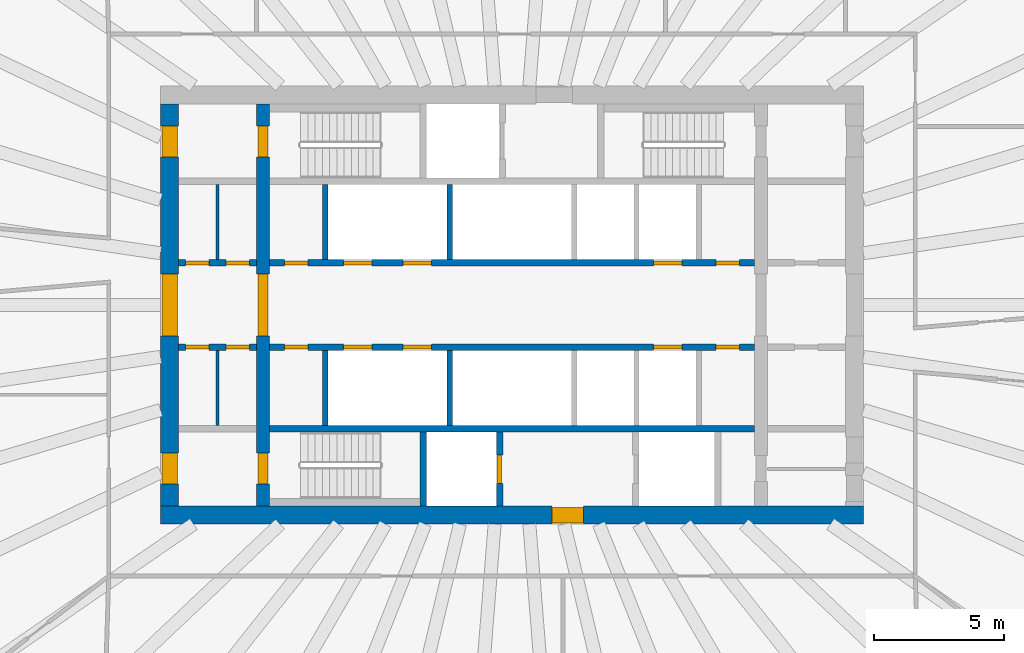
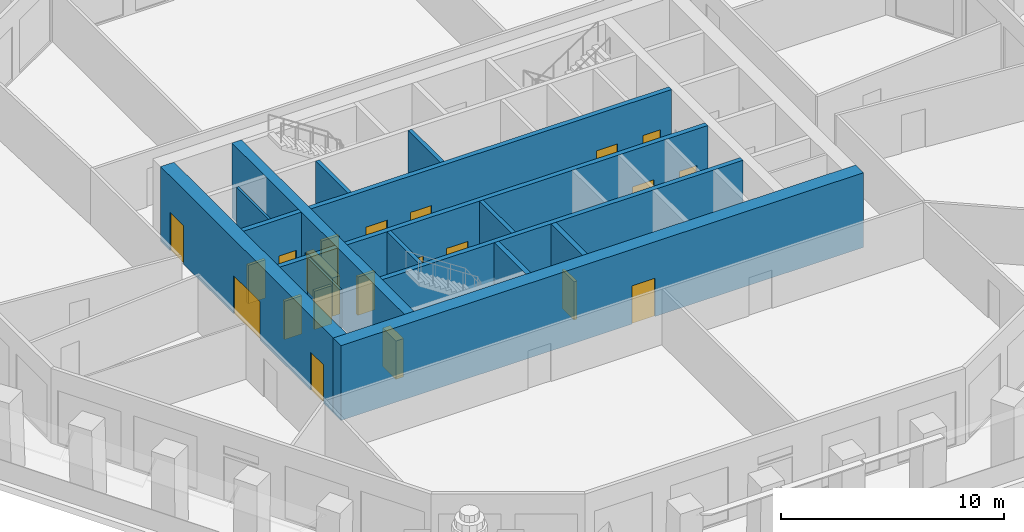
# One storey, part 4 of 12: 22 doors, 16 walls, 22 openings.
"""IFC4 building model written with IfcOpenShell, lengths in metres."""

from ifc_helpers import new_model, si_unit, direction, frame, frame_2d, origin, place, context, subcontext, project, spatial, rectangle, extrude, material, layer, layer_set, type_object, element, fill, save


model = new_model("IFC4")

# Units and contexts
model_context = context("Model", 3, precision=1e-05, world=origin(), true_north=direction((0.0, 1.0)))
body_context = subcontext(model_context, "Body", "Model", "MODEL_VIEW")
ifc_project = project(units=[si_unit("LENGTHUNIT", "METRE"), si_unit("AREAUNIT", "SQUARE_METRE"), si_unit("VOLUMEUNIT", "CUBIC_METRE"), si_unit("PLANEANGLEUNIT", "RADIAN"), si_unit("MASSUNIT", "GRAM", prefix="KILO")], contexts=[model_context])

# Site, building, storey
site_placement = place(None, origin())
site = spatial("IfcSite", under=ifc_project, at=site_placement, CompositionType="ELEMENT")
building_placement = place(site_placement, origin())
building = spatial("IfcBuilding", under=site, at=building_placement, Name="Frailejon Research Tower", CompositionType="ELEMENT")
storey_placement = place(building_placement, frame((0.0, 0.0, 145.199951171875)))
storey = spatial("IfcBuildingStorey", under=building, at=storey_placement, Name="L31", CompositionType="ELEMENT", Elevation=145.199951171875)

# Walls
ifc_material_1 = material(Name="Plasterboard on steel studs", Category="steel")
ifc_layer_1 = layer(ifc_material_1, 0.125)
ifc_layer_set_1 = layer_set([ifc_layer_1], Name="Core partition 125")
wall_type_1 = type_object("IfcWallType", Name="Core partition 125", PredefinedType="PARTITIONING", material=ifc_layer_set_1)
for number, where, z_axis, x_axis, name in (
    (1, (-11.35009765625, 1.75, 0.0), (0.0, 0.0, 1.0), (0.0, 1.0, 0.0), "Core partition"),
    (2, (-11.35009765625, -4.64990234375, 0.0), (0.0, 0.0, 1.0), (0.0, 1.0, 0.0), "Core partition"),
):
    element("IfcWall", number, at=place(storey_placement, frame(where, z_axis=z_axis, x_axis=x_axis)), inside=storey, type_object=wall_type_1, Name=name, PredefinedType="PARTITIONING", context=body_context, shape_type="SweptSolid", body=[
        extrude(rectangle(XDim=2.89990234375, YDim=0.125, at=frame_2d((1.449951171875, 0.0))), origin(), (0.0, 0.0, 1.0), 4.10009765625),
    ])

# Wall, openings, doors
ifc_material_2 = material(Name="Concrete C60/75", Category="concrete")
ifc_layer_2 = layer(ifc_material_2, 0.5)
ifc_layer_set_2 = layer_set([ifc_layer_2], Name="Core shear wall 500 C60/75")
wall_type_2 = type_object("IfcWallType", Name="Core shear wall 500 C60/75", PredefinedType="SHEAR", material=ifc_layer_set_2)
wall_1_placement = place(storey_placement, frame((-9.60009765625, -7.75, 0.0), z_axis=(0.0, 0.0, 1.0), x_axis=(0.0, 1.0, 0.0)))
wall_1 = element("IfcWall", 3, at=wall_1_placement, inside=storey, type_object=wall_type_2, Name="Core shear wall", PredefinedType="SHEAR", context=body_context, shape_type="SweptSolid", body=[
    extrude(rectangle(XDim=15.5, YDim=0.5, at=frame_2d((7.75, 0.0))), origin(), (0.0, 0.0, 1.0), 4.10009765625),
])
opening_1_placement = place(wall_1_placement, frame((6.550048828125, 0.0, 0.0)))
opening_1 = element("IfcOpeningElement", 4, at=opening_1_placement, cuts=wall_1, Name="Opening D2", PredefinedType="OPENING", context=body_context, shape_type="SweptSolid", body=[
    extrude(rectangle(XDim=2.39990234375, YDim=2.10009765625, at=frame_2d((1.199951171875, 1.050048828125))), frame((0.0, 0.260009765625, 0.0), z_axis=(0.0, -1.0, 0.0), x_axis=(1.0, 0.0, 0.0)), (0.0, 0.0, 1.0), 0.52001953125),
])
opening_2_placement = place(wall_1_placement, frame((13.449951171875, 0.0, 0.0)))
opening_2 = element("IfcOpeningElement", 5, at=opening_2_placement, cuts=wall_1, Name="Opening D1", PredefinedType="OPENING", context=body_context, shape_type="SweptSolid", body=[
    extrude(rectangle(XDim=1.199951171875, YDim=2.10009765625, at=frame_2d((0.60009765625, 1.050048828125))), frame((0.0, 0.260009765625, 0.0), z_axis=(0.0, -1.0, 0.0), x_axis=(1.0, 0.0, 0.0)), (0.0, 0.0, 1.0), 0.52001953125),
])
opening_3_placement = place(wall_1_placement, frame((0.85009765625, 0.0, 0.0)))
opening_3 = element("IfcOpeningElement", 6, at=opening_3_placement, cuts=wall_1, Name="Opening D1", PredefinedType="OPENING", context=body_context, shape_type="SweptSolid", body=[
    extrude(rectangle(XDim=1.199951171875, YDim=2.10009765625, at=frame_2d((0.60009765625, 1.050048828125))), frame((0.0, 0.260009765625, 0.0), z_axis=(0.0, -1.0, 0.0), x_axis=(1.0, 0.0, 0.0)), (0.0, 0.0, 1.0), 0.52001953125),
])
ifc_material_3 = material(Name="Steel", Category="steel")
door_type_1 = type_object("IfcDoorType", Name="Lobby double door", OperationType="DOUBLE_DOOR_SINGLE_SWING", PredefinedType="DOOR", material=ifc_material_3)
door_1_placement = place(opening_1_placement, origin())
door_1 = element("IfcDoor", 7, at=door_1_placement, inside=storey, type_object=door_type_1, Name="Lobby door", OperationType="DOUBLE_DOOR_SINGLE_SWING", OverallHeight=2.10009765625, OverallWidth=2.39990234375, PredefinedType="DOOR", context=body_context, shape_type="SweptSolid", body=[
    extrude(rectangle(XDim=2.39990234375, YDim=2.10009765625, at=frame_2d((1.199951171875, 1.050048828125))), frame((0.0, 0.199951171875, 0.0), z_axis=(0.0, -1.0, 0.0), x_axis=(1.0, 0.0, 0.0)), (0.0, 0.0, 1.0), 0.39990234375),
])
fill(opening_1, door_1)
ifc_material_4 = material(Name="Steel", Category="steel")
door_type_2 = type_object("IfcDoorType", Name="Stair door", OperationType="SINGLE_SWING_LEFT", PredefinedType="DOOR", material=ifc_material_4)
door_2_placement = place(opening_2_placement, origin())
door_2 = element("IfcDoor", 8, at=door_2_placement, inside=storey, type_object=door_type_2, Name="Stair door ST1", OperationType="SINGLE_SWING_RIGHT", OverallHeight=2.10009765625, OverallWidth=1.199951171875, PredefinedType="DOOR", context=body_context, shape_type="SweptSolid", body=[
    extrude(rectangle(XDim=1.199951171875, YDim=2.10009765625, at=frame_2d((0.60009765625, 1.050048828125))), frame((0.0, 0.199951171875, 0.0), z_axis=(0.0, -1.0, 0.0), x_axis=(1.0, 0.0, 0.0)), (0.0, 0.0, 1.0), 0.39990234375),
])
fill(opening_2, door_2)
door_3_placement = place(opening_3_placement, origin())
door_3 = element("IfcDoor", 9, at=door_3_placement, inside=storey, type_object=door_type_2, Name="Stair door ST2", OperationType="SINGLE_SWING_RIGHT", OverallHeight=2.10009765625, OverallWidth=1.199951171875, PredefinedType="DOOR", context=body_context, shape_type="SweptSolid", body=[
    extrude(rectangle(XDim=1.199951171875, YDim=2.10009765625, at=frame_2d((0.60009765625, 1.050048828125))), frame((0.0, 0.199951171875, 0.0), z_axis=(0.0, -1.0, 0.0), x_axis=(1.0, 0.0, 0.0)), (0.0, 0.0, 1.0), 0.39990234375),
])
fill(opening_3, door_3)

# Wall, opening, door
ifc_material_5 = material(Name="Concrete C60/75", Category="concrete")
ifc_layer_3 = layer(ifc_material_5, 0.699951171875)
ifc_layer_set_3 = layer_set([ifc_layer_3], Name="Core shear wall 700 C60/75")
wall_type_3 = type_object("IfcWallType", Name="Core shear wall 700 C60/75", PredefinedType="SHEAR", material=ifc_layer_set_3)
wall_2_placement = place(storey_placement, frame((-13.550048828125, -8.10009765625, 0.0), z_axis=(0.0, 0.0, 1.0), x_axis=(1.0, 0.0, 0.0)))
wall_2 = element("IfcWall", 10, at=wall_2_placement, inside=storey, type_object=wall_type_3, Name="Core shear wall", PredefinedType="SHEAR", context=body_context, shape_type="SweptSolid", body=[
    extrude(rectangle(XDim=27.10009765625, YDim=0.699951171875, at=frame_2d((13.550048828125, 0.0))), origin(), (0.0, 0.0, 1.0), 4.10009765625),
])
opening_4_placement = place(wall_2_placement, frame((15.10009765625, 0.0, 0.0)))
opening_4 = element("IfcOpeningElement", 11, at=opening_4_placement, cuts=wall_2, Name="Opening D3", PredefinedType="OPENING", context=body_context, shape_type="SweptSolid", body=[
    extrude(rectangle(XDim=1.199951171875, YDim=2.10009765625, at=frame_2d((0.60009765625, 1.050048828125))), frame((0.0, 0.35986328125, 0.0), z_axis=(0.0, -1.0, 0.0), x_axis=(1.0, 0.0, 0.0)), (0.0, 0.0, 1.0), 0.719970703125),
])
ifc_material_6 = material(Name="Steel", Category="steel")
door_type_3 = type_object("IfcDoorType", Name="Firefighting lobby door", OperationType="SINGLE_SWING_LEFT", PredefinedType="DOOR", material=ifc_material_6)
door_4_placement = place(opening_4_placement, origin())
door_4 = element("IfcDoor", 12, at=door_4_placement, inside=storey, type_object=door_type_3, Name="Firefighting lobby door", OperationType="SINGLE_SWING_RIGHT", OverallHeight=2.10009765625, OverallWidth=1.199951171875, PredefinedType="DOOR", context=body_context, shape_type="SweptSolid", body=[
    extrude(rectangle(XDim=1.199951171875, YDim=2.10009765625, at=frame_2d((0.60009765625, 1.050048828125))), frame((0.0, 0.300048828125, 0.0), z_axis=(0.0, -1.0, 0.0), x_axis=(1.0, 0.0, 0.0)), (0.0, 0.0, 1.0), 0.60009765625),
])
fill(opening_4, door_4)

# Wall, openings, doors
wall_3_placement = place(storey_placement, frame((-13.199951171875, -7.75, 0.0), z_axis=(0.0, 0.0, 1.0), x_axis=(0.0, 1.0, 0.0)))
wall_3 = element("IfcWall", 13, at=wall_3_placement, inside=storey, type_object=wall_type_3, Name="Core shear wall", PredefinedType="SHEAR", context=body_context, shape_type="SweptSolid", body=[
    extrude(rectangle(XDim=15.5, YDim=0.699951171875, at=frame_2d((7.75, 0.0))), origin(), (0.0, 0.0, 1.0), 4.10009765625),
])
opening_5_placement = place(wall_3_placement, frame((6.550048828125, 0.0, 0.0)))
opening_5 = element("IfcOpeningElement", 14, at=opening_5_placement, cuts=wall_3, Name="Opening D2", PredefinedType="OPENING", context=body_context, shape_type="SweptSolid", body=[
    extrude(rectangle(XDim=2.39990234375, YDim=2.10009765625, at=frame_2d((1.199951171875, 1.050048828125))), frame((0.0, 0.35986328125, 0.0), z_axis=(0.0, -1.0, 0.0), x_axis=(1.0, 0.0, 0.0)), (0.0, 0.0, 1.0), 0.719970703125),
])
opening_6_placement = place(wall_3_placement, frame((13.449951171875, 0.0, 0.0)))
opening_6 = element("IfcOpeningElement", 15, at=opening_6_placement, cuts=wall_3, Name="Opening D7", PredefinedType="OPENING", context=body_context, shape_type="SweptSolid", body=[
    extrude(rectangle(XDim=1.199951171875, YDim=2.10009765625, at=frame_2d((0.60009765625, 1.050048828125))), frame((0.0, 0.35986328125, 0.0), z_axis=(0.0, -1.0, 0.0), x_axis=(1.0, 0.0, 0.0)), (0.0, 0.0, 1.0), 0.719970703125),
])
opening_7_placement = place(wall_3_placement, frame((0.85009765625, 0.0, 0.0)))
opening_7 = element("IfcOpeningElement", 16, at=opening_7_placement, cuts=wall_3, Name="Opening D7", PredefinedType="OPENING", context=body_context, shape_type="SweptSolid", body=[
    extrude(rectangle(XDim=1.199951171875, YDim=2.10009765625, at=frame_2d((0.60009765625, 1.050048828125))), frame((0.0, 0.35986328125, 0.0), z_axis=(0.0, -1.0, 0.0), x_axis=(1.0, 0.0, 0.0)), (0.0, 0.0, 1.0), 0.719970703125),
])
door_5_placement = place(opening_5_placement, origin())
door_5 = element("IfcDoor", 17, at=door_5_placement, inside=storey, type_object=door_type_1, Name="Lobby door", OperationType="DOUBLE_DOOR_SINGLE_SWING", OverallHeight=2.10009765625, OverallWidth=2.39990234375, PredefinedType="DOOR", context=body_context, shape_type="SweptSolid", body=[
    extrude(rectangle(XDim=2.39990234375, YDim=2.10009765625, at=frame_2d((1.199951171875, 1.050048828125))), frame((0.0, 0.300048828125, 0.0), z_axis=(0.0, -1.0, 0.0), x_axis=(1.0, 0.0, 0.0)), (0.0, 0.0, 1.0), 0.60009765625),
])
fill(opening_5, door_5)
ifc_material_7 = material(Name="Steel", Category="steel")
door_type_4 = type_object("IfcDoorType", Name="Stair exit door", OperationType="SINGLE_SWING_LEFT", PredefinedType="DOOR", material=ifc_material_7)
door_6_placement = place(opening_6_placement, origin())
door_6 = element("IfcDoor", 18, at=door_6_placement, inside=storey, type_object=door_type_4, Name="Stair exit door ST1", OperationType="SINGLE_SWING_LEFT", OverallHeight=2.10009765625, OverallWidth=1.199951171875, PredefinedType="DOOR", context=body_context, shape_type="SweptSolid", body=[
    extrude(rectangle(XDim=1.199951171875, YDim=2.10009765625, at=frame_2d((0.60009765625, 1.050048828125))), frame((0.0, 0.300048828125, 0.0), z_axis=(0.0, -1.0, 0.0), x_axis=(1.0, 0.0, 0.0)), (0.0, 0.0, 1.0), 0.60009765625),
])
fill(opening_6, door_6)
door_7_placement = place(opening_7_placement, origin())
door_7 = element("IfcDoor", 19, at=door_7_placement, inside=storey, type_object=door_type_4, Name="Stair exit door ST2", OperationType="SINGLE_SWING_LEFT", OverallHeight=2.10009765625, OverallWidth=1.199951171875, PredefinedType="DOOR", context=body_context, shape_type="SweptSolid", body=[
    extrude(rectangle(XDim=1.199951171875, YDim=2.10009765625, at=frame_2d((0.60009765625, 1.050048828125))), frame((0.0, 0.300048828125, 0.0), z_axis=(0.0, -1.0, 0.0), x_axis=(1.0, 0.0, 0.0)), (0.0, 0.0, 1.0), 0.60009765625),
])
fill(opening_7, door_7)

# Walls
ifc_material_8 = material(Name="Concrete C60/75", Category="concrete")
ifc_layer_4 = layer(ifc_material_8, 0.199951171875)
ifc_layer_set_4 = layer_set([ifc_layer_4], Name="Shaft wall 200 C60/75")
wall_type_4 = type_object("IfcWallType", Name="Shaft wall 200 C60/75", PredefinedType="SOLIDWALL", material=ifc_layer_set_4)
for number, where, z_axis, x_axis, name in (
    (20, (-7.199951171875, 1.75, 0.0), (0.0, 0.0, 1.0), (0.0, 1.0, 0.0), "Shaft wall"),
    (21, (-2.39990234375, 1.75, 0.0), (0.0, 0.0, 1.0), (0.0, 1.0, 0.0), "Shaft wall"),
    (22, (-7.199951171875, -4.64990234375, 0.0), (0.0, 0.0, 1.0), (0.0, 1.0, 0.0), "Shaft wall"),
    (23, (-2.39990234375, -4.64990234375, 0.0), (0.0, 0.0, 1.0), (0.0, 1.0, 0.0), "Shaft wall"),
):
    element("IfcWall", number, at=place(storey_placement, frame(where, z_axis=z_axis, x_axis=x_axis)), inside=storey, type_object=wall_type_4, Name=name, PredefinedType="SOLIDWALL", context=body_context, shape_type="SweptSolid", body=[
        extrude(rectangle(XDim=2.89990234375, YDim=0.199951171875, at=frame_2d((1.449951171875, 0.0))), origin(), (0.0, 0.0, 1.0), 4.10009765625),
    ])

# Wall, openings, doors
ifc_material_9 = material(Name="Concrete C60/75", Category="concrete")
ifc_layer_5 = layer(ifc_material_9, 0.25)
ifc_layer_set_5 = layer_set([ifc_layer_5], Name="Shaft wall 250 C60/75")
wall_type_5 = type_object("IfcWallType", Name="Shaft wall 250 C60/75", PredefinedType="SOLIDWALL", material=ifc_layer_set_5)
wall_4_placement = place(storey_placement, frame((-12.85009765625, 1.625, 0.0), z_axis=(0.0, 0.0, 1.0), x_axis=(1.0, 0.0, 0.0)))
wall_4 = element("IfcWall", 24, at=wall_4_placement, inside=storey, type_object=wall_type_5, Name="Shaft wall", PredefinedType="SOLIDWALL", context=body_context, shape_type="SweptSolid", body=[
    extrude(rectangle(XDim=3.0, YDim=0.25, at=frame_2d((1.5, 0.0))), origin(), (0.0, 0.0, 1.0), 4.10009765625),
])
opening_8_placement = place(wall_4_placement, frame((0.268798828125, 0.0, 0.0)))
opening_8 = element("IfcOpeningElement", 25, at=opening_8_placement, cuts=wall_4, Name="Opening D8", PredefinedType="OPENING", context=body_context, shape_type="SweptSolid", body=[
    extrude(rectangle(XDim=0.89990234375, YDim=2.10009765625, at=frame_2d((0.449951171875, 1.050048828125))), frame((0.0, 0.135009765625, 0.0), z_axis=(0.0, -1.0, 0.0), x_axis=(1.0, 0.0, 0.0)), (0.0, 0.0, 1.0), 0.27001953125),
])
opening_9_placement = place(wall_4_placement, frame((1.831298828125, 0.0, 0.0)))
opening_9 = element("IfcOpeningElement", 26, at=opening_9_placement, cuts=wall_4, Name="Opening D8", PredefinedType="OPENING", context=body_context, shape_type="SweptSolid", body=[
    extrude(rectangle(XDim=0.89990234375, YDim=2.10009765625, at=frame_2d((0.449951171875, 1.050048828125))), frame((0.0, 0.135009765625, 0.0), z_axis=(0.0, -1.0, 0.0), x_axis=(1.0, 0.0, 0.0)), (0.0, 0.0, 1.0), 0.27001953125),
])
ifc_material_10 = material(Name="Steel", Category="steel")
door_type_5 = type_object("IfcDoorType", Name="Core room door", OperationType="SINGLE_SWING_LEFT", PredefinedType="DOOR", material=ifc_material_10)
door_8_placement = place(opening_8_placement, origin())
door_8 = element("IfcDoor", 27, at=door_8_placement, inside=storey, type_object=door_type_5, Name="Room door", OperationType="SINGLE_SWING_LEFT", OverallHeight=2.10009765625, OverallWidth=0.89990234375, PredefinedType="DOOR", context=body_context, shape_type="SweptSolid", body=[
    extrude(rectangle(XDim=0.89990234375, YDim=2.10009765625, at=frame_2d((0.449951171875, 1.050048828125))), frame((0.0, 0.074951171875, 0.0), z_axis=(0.0, -1.0, 0.0), x_axis=(1.0, 0.0, 0.0)), (0.0, 0.0, 1.0), 0.14990234375),
])
fill(opening_8, door_8)
door_9_placement = place(opening_9_placement, origin())
door_9 = element("IfcDoor", 28, at=door_9_placement, inside=storey, type_object=door_type_5, Name="Room door", OperationType="SINGLE_SWING_RIGHT", OverallHeight=2.10009765625, OverallWidth=0.89990234375, PredefinedType="DOOR", context=body_context, shape_type="SweptSolid", body=[
    extrude(rectangle(XDim=0.89990234375, YDim=2.10009765625, at=frame_2d((0.449951171875, 1.050048828125))), frame((0.0, 0.074951171875, 0.0), z_axis=(0.0, -1.0, 0.0), x_axis=(1.0, 0.0, 0.0)), (0.0, 0.0, 1.0), 0.14990234375),
])
fill(opening_9, door_9)

wall_5_placement = place(storey_placement, frame((-9.35009765625, 1.625, 0.0), z_axis=(0.0, 0.0, 1.0), x_axis=(1.0, 0.0, 0.0)))
wall_5 = element("IfcWall", 29, at=wall_5_placement, inside=storey, type_object=wall_type_5, Name="Shaft wall", PredefinedType="SOLIDWALL", context=body_context, shape_type="SweptSolid", body=[
    extrude(rectangle(XDim=18.7001953125, YDim=0.25, at=frame_2d((9.35009765625, 0.0))), origin(), (0.0, 0.0, 1.0), 4.10009765625),
])
opening_10_placement = place(wall_5_placement, frame((2.85009765625, 0.0, 0.0)))
opening_10 = element("IfcOpeningElement", 30, at=opening_10_placement, cuts=wall_5, Name="Opening LD", PredefinedType="OPENING", context=body_context, shape_type="SweptSolid", body=[
    extrude(rectangle(XDim=1.10009765625, YDim=2.10009765625, at=frame_2d((0.550048828125, 1.050048828125))), frame((0.0, 0.135009765625, 0.0), z_axis=(0.0, -1.0, 0.0), x_axis=(1.0, 0.0, 0.0)), (0.0, 0.0, 1.0), 0.27001953125),
])
opening_11_placement = place(wall_5_placement, frame((5.14990234375, 0.0, 0.0)))
opening_11 = element("IfcOpeningElement", 31, at=opening_11_placement, cuts=wall_5, Name="Opening LD", PredefinedType="OPENING", context=body_context, shape_type="SweptSolid", body=[
    extrude(rectangle(XDim=1.10009765625, YDim=2.10009765625, at=frame_2d((0.550048828125, 1.050048828125))), frame((0.0, 0.135009765625, 0.0), z_axis=(0.0, -1.0, 0.0), x_axis=(1.0, 0.0, 0.0)), (0.0, 0.0, 1.0), 0.27001953125),
])
opening_12_placement = place(wall_5_placement, frame((14.800048828125, 0.0, 0.0)))
opening_12 = element("IfcOpeningElement", 32, at=opening_12_placement, cuts=wall_5, Name="Opening LD", PredefinedType="OPENING", context=body_context, shape_type="SweptSolid", body=[
    extrude(rectangle(XDim=1.10009765625, YDim=2.10009765625, at=frame_2d((0.550048828125, 1.050048828125))), frame((0.0, 0.135009765625, 0.0), z_axis=(0.0, -1.0, 0.0), x_axis=(1.0, 0.0, 0.0)), (0.0, 0.0, 1.0), 0.27001953125),
])
opening_13_placement = place(wall_5_placement, frame((0.574951171875, 0.0, 0.0)))
opening_13 = element("IfcOpeningElement", 33, at=opening_13_placement, cuts=wall_5, Name="Opening D8", PredefinedType="OPENING", context=body_context, shape_type="SweptSolid", body=[
    extrude(rectangle(XDim=0.89990234375, YDim=2.10009765625, at=frame_2d((0.449951171875, 1.050048828125))), frame((0.0, 0.135009765625, 0.0), z_axis=(0.0, -1.0, 0.0), x_axis=(1.0, 0.0, 0.0)), (0.0, 0.0, 1.0), 0.27001953125),
])
opening_14_placement = place(wall_5_placement, frame((17.22509765625, 0.0, 0.0)))
opening_14 = element("IfcOpeningElement", 34, at=opening_14_placement, cuts=wall_5, Name="Opening D8", PredefinedType="OPENING", context=body_context, shape_type="SweptSolid", body=[
    extrude(rectangle(XDim=0.89990234375, YDim=2.10009765625, at=frame_2d((0.449951171875, 1.050048828125))), frame((0.0, 0.135009765625, 0.0), z_axis=(0.0, -1.0, 0.0), x_axis=(1.0, 0.0, 0.0)), (0.0, 0.0, 1.0), 0.27001953125),
])
door_10_placement = place(opening_13_placement, origin())
door_10 = element("IfcDoor", 35, at=door_10_placement, inside=storey, type_object=door_type_5, Name="Room door", OperationType="SINGLE_SWING_LEFT", OverallHeight=2.10009765625, OverallWidth=0.89990234375, PredefinedType="DOOR", context=body_context, shape_type="SweptSolid", body=[
    extrude(rectangle(XDim=0.89990234375, YDim=2.10009765625, at=frame_2d((0.449951171875, 1.050048828125))), frame((0.0, 0.074951171875, 0.0), z_axis=(0.0, -1.0, 0.0), x_axis=(1.0, 0.0, 0.0)), (0.0, 0.0, 1.0), 0.14990234375),
])
fill(opening_13, door_10)
door_11_placement = place(opening_14_placement, origin())
door_11 = element("IfcDoor", 36, at=door_11_placement, inside=storey, type_object=door_type_5, Name="Room door", OperationType="SINGLE_SWING_RIGHT", OverallHeight=2.10009765625, OverallWidth=0.89990234375, PredefinedType="DOOR", context=body_context, shape_type="SweptSolid", body=[
    extrude(rectangle(XDim=0.89990234375, YDim=2.10009765625, at=frame_2d((0.449951171875, 1.050048828125))), frame((0.0, 0.074951171875, 0.0), z_axis=(0.0, -1.0, 0.0), x_axis=(1.0, 0.0, 0.0)), (0.0, 0.0, 1.0), 0.14990234375),
])
fill(opening_14, door_11)
ifc_material_11 = material(Name="Steel", Category="steel")
door_type_6 = type_object("IfcDoorType", Name="Lift landing door", OperationType="DOUBLE_DOOR_SLIDING", PredefinedType="DOOR", material=ifc_material_11)
door_12_placement = place(opening_10_placement, origin())
door_12 = element("IfcDoor", 37, at=door_12_placement, inside=storey, type_object=door_type_6, Name="Lift landing door", OperationType="DOUBLE_DOOR_SLIDING", OverallHeight=2.10009765625, OverallWidth=1.10009765625, PredefinedType="DOOR", context=body_context, shape_type="SweptSolid", body=[
    extrude(rectangle(XDim=1.10009765625, YDim=2.10009765625, at=frame_2d((0.550048828125, 1.050048828125))), frame((0.0, 0.074951171875, 0.0), z_axis=(0.0, -1.0, 0.0), x_axis=(1.0, 0.0, 0.0)), (0.0, 0.0, 1.0), 0.14990234375),
])
fill(opening_10, door_12)
door_13_placement = place(opening_11_placement, origin())
door_13 = element("IfcDoor", 38, at=door_13_placement, inside=storey, type_object=door_type_6, Name="Lift landing door", OperationType="DOUBLE_DOOR_SLIDING", OverallHeight=2.10009765625, OverallWidth=1.10009765625, PredefinedType="DOOR", context=body_context, shape_type="SweptSolid", body=[
    extrude(rectangle(XDim=1.10009765625, YDim=2.10009765625, at=frame_2d((0.550048828125, 1.050048828125))), frame((0.0, 0.074951171875, 0.0), z_axis=(0.0, -1.0, 0.0), x_axis=(1.0, 0.0, 0.0)), (0.0, 0.0, 1.0), 0.14990234375),
])
fill(opening_11, door_13)
door_14_placement = place(opening_12_placement, origin())
door_14 = element("IfcDoor", 39, at=door_14_placement, inside=storey, type_object=door_type_6, Name="Lift landing door", OperationType="DOUBLE_DOOR_SLIDING", OverallHeight=2.10009765625, OverallWidth=1.10009765625, PredefinedType="DOOR", context=body_context, shape_type="SweptSolid", body=[
    extrude(rectangle(XDim=1.10009765625, YDim=2.10009765625, at=frame_2d((0.550048828125, 1.050048828125))), frame((0.0, 0.074951171875, 0.0), z_axis=(0.0, -1.0, 0.0), x_axis=(1.0, 0.0, 0.0)), (0.0, 0.0, 1.0), 0.14990234375),
])
fill(opening_12, door_14)

wall_6_placement = place(storey_placement, frame((-12.85009765625, -1.625, 0.0), z_axis=(0.0, 0.0, 1.0), x_axis=(1.0, 0.0, 0.0)))
wall_6 = element("IfcWall", 40, at=wall_6_placement, inside=storey, type_object=wall_type_5, Name="Shaft wall", PredefinedType="SOLIDWALL", context=body_context, shape_type="SweptSolid", body=[
    extrude(rectangle(XDim=3.0, YDim=0.25, at=frame_2d((1.5, 0.0))), origin(), (0.0, 0.0, 1.0), 4.10009765625),
])
opening_15_placement = place(wall_6_placement, frame((0.268798828125, 0.0, 0.0)))
opening_15 = element("IfcOpeningElement", 41, at=opening_15_placement, cuts=wall_6, Name="Opening D8", PredefinedType="OPENING", context=body_context, shape_type="SweptSolid", body=[
    extrude(rectangle(XDim=0.89990234375, YDim=2.10009765625, at=frame_2d((0.449951171875, 1.050048828125))), frame((0.0, 0.135009765625, 0.0), z_axis=(0.0, -1.0, 0.0), x_axis=(1.0, 0.0, 0.0)), (0.0, 0.0, 1.0), 0.27001953125),
])
opening_16_placement = place(wall_6_placement, frame((1.831298828125, 0.0, 0.0)))
opening_16 = element("IfcOpeningElement", 42, at=opening_16_placement, cuts=wall_6, Name="Opening D8", PredefinedType="OPENING", context=body_context, shape_type="SweptSolid", body=[
    extrude(rectangle(XDim=0.89990234375, YDim=2.10009765625, at=frame_2d((0.449951171875, 1.050048828125))), frame((0.0, 0.135009765625, 0.0), z_axis=(0.0, -1.0, 0.0), x_axis=(1.0, 0.0, 0.0)), (0.0, 0.0, 1.0), 0.27001953125),
])
door_15_placement = place(opening_15_placement, origin())
door_15 = element("IfcDoor", 43, at=door_15_placement, inside=storey, type_object=door_type_5, Name="Room door", OperationType="SINGLE_SWING_RIGHT", OverallHeight=2.10009765625, OverallWidth=0.89990234375, PredefinedType="DOOR", context=body_context, shape_type="SweptSolid", body=[
    extrude(rectangle(XDim=0.89990234375, YDim=2.10009765625, at=frame_2d((0.449951171875, 1.050048828125))), frame((0.0, 0.074951171875, 0.0), z_axis=(0.0, -1.0, 0.0), x_axis=(1.0, 0.0, 0.0)), (0.0, 0.0, 1.0), 0.14990234375),
])
fill(opening_15, door_15)
door_16_placement = place(opening_16_placement, origin())
door_16 = element("IfcDoor", 44, at=door_16_placement, inside=storey, type_object=door_type_5, Name="Room door", OperationType="SINGLE_SWING_LEFT", OverallHeight=2.10009765625, OverallWidth=0.89990234375, PredefinedType="DOOR", context=body_context, shape_type="SweptSolid", body=[
    extrude(rectangle(XDim=0.89990234375, YDim=2.10009765625, at=frame_2d((0.449951171875, 1.050048828125))), frame((0.0, 0.074951171875, 0.0), z_axis=(0.0, -1.0, 0.0), x_axis=(1.0, 0.0, 0.0)), (0.0, 0.0, 1.0), 0.14990234375),
])
fill(opening_16, door_16)

wall_7_placement = place(storey_placement, frame((-9.35009765625, -1.625, 0.0), z_axis=(0.0, 0.0, 1.0), x_axis=(1.0, 0.0, 0.0)))
wall_7 = element("IfcWall", 45, at=wall_7_placement, inside=storey, type_object=wall_type_5, Name="Shaft wall", PredefinedType="SOLIDWALL", context=body_context, shape_type="SweptSolid", body=[
    extrude(rectangle(XDim=18.7001953125, YDim=0.25, at=frame_2d((9.35009765625, 0.0))), origin(), (0.0, 0.0, 1.0), 4.10009765625),
])
opening_17_placement = place(wall_7_placement, frame((2.85009765625, 0.0, 0.0)))
opening_17 = element("IfcOpeningElement", 46, at=opening_17_placement, cuts=wall_7, Name="Opening LD", PredefinedType="OPENING", context=body_context, shape_type="SweptSolid", body=[
    extrude(rectangle(XDim=1.10009765625, YDim=2.10009765625, at=frame_2d((0.550048828125, 1.050048828125))), frame((0.0, 0.135009765625, 0.0), z_axis=(0.0, -1.0, 0.0), x_axis=(1.0, 0.0, 0.0)), (0.0, 0.0, 1.0), 0.27001953125),
])
opening_18_placement = place(wall_7_placement, frame((5.14990234375, 0.0, 0.0)))
opening_18 = element("IfcOpeningElement", 47, at=opening_18_placement, cuts=wall_7, Name="Opening LD", PredefinedType="OPENING", context=body_context, shape_type="SweptSolid", body=[
    extrude(rectangle(XDim=1.10009765625, YDim=2.10009765625, at=frame_2d((0.550048828125, 1.050048828125))), frame((0.0, 0.135009765625, 0.0), z_axis=(0.0, -1.0, 0.0), x_axis=(1.0, 0.0, 0.0)), (0.0, 0.0, 1.0), 0.27001953125),
])
opening_19_placement = place(wall_7_placement, frame((14.800048828125, 0.0, 0.0)))
opening_19 = element("IfcOpeningElement", 48, at=opening_19_placement, cuts=wall_7, Name="Opening LD", PredefinedType="OPENING", context=body_context, shape_type="SweptSolid", body=[
    extrude(rectangle(XDim=1.10009765625, YDim=2.10009765625, at=frame_2d((0.550048828125, 1.050048828125))), frame((0.0, 0.135009765625, 0.0), z_axis=(0.0, -1.0, 0.0), x_axis=(1.0, 0.0, 0.0)), (0.0, 0.0, 1.0), 0.27001953125),
])
opening_20_placement = place(wall_7_placement, frame((0.574951171875, 0.0, 0.0)))
opening_20 = element("IfcOpeningElement", 49, at=opening_20_placement, cuts=wall_7, Name="Opening D8", PredefinedType="OPENING", context=body_context, shape_type="SweptSolid", body=[
    extrude(rectangle(XDim=0.89990234375, YDim=2.10009765625, at=frame_2d((0.449951171875, 1.050048828125))), frame((0.0, 0.135009765625, 0.0), z_axis=(0.0, -1.0, 0.0), x_axis=(1.0, 0.0, 0.0)), (0.0, 0.0, 1.0), 0.27001953125),
])
opening_21_placement = place(wall_7_placement, frame((17.22509765625, 0.0, 0.0)))
opening_21 = element("IfcOpeningElement", 50, at=opening_21_placement, cuts=wall_7, Name="Opening D8", PredefinedType="OPENING", context=body_context, shape_type="SweptSolid", body=[
    extrude(rectangle(XDim=0.89990234375, YDim=2.10009765625, at=frame_2d((0.449951171875, 1.050048828125))), frame((0.0, 0.135009765625, 0.0), z_axis=(0.0, -1.0, 0.0), x_axis=(1.0, 0.0, 0.0)), (0.0, 0.0, 1.0), 0.27001953125),
])
door_17_placement = place(opening_20_placement, origin())
door_17 = element("IfcDoor", 51, at=door_17_placement, inside=storey, type_object=door_type_5, Name="Room door", OperationType="SINGLE_SWING_RIGHT", OverallHeight=2.10009765625, OverallWidth=0.89990234375, PredefinedType="DOOR", context=body_context, shape_type="SweptSolid", body=[
    extrude(rectangle(XDim=0.89990234375, YDim=2.10009765625, at=frame_2d((0.449951171875, 1.050048828125))), frame((0.0, 0.074951171875, 0.0), z_axis=(0.0, -1.0, 0.0), x_axis=(1.0, 0.0, 0.0)), (0.0, 0.0, 1.0), 0.14990234375),
])
fill(opening_20, door_17)
door_18_placement = place(opening_21_placement, origin())
door_18 = element("IfcDoor", 52, at=door_18_placement, inside=storey, type_object=door_type_5, Name="Room door", OperationType="SINGLE_SWING_LEFT", OverallHeight=2.10009765625, OverallWidth=0.89990234375, PredefinedType="DOOR", context=body_context, shape_type="SweptSolid", body=[
    extrude(rectangle(XDim=0.89990234375, YDim=2.10009765625, at=frame_2d((0.449951171875, 1.050048828125))), frame((0.0, 0.074951171875, 0.0), z_axis=(0.0, -1.0, 0.0), x_axis=(1.0, 0.0, 0.0)), (0.0, 0.0, 1.0), 0.14990234375),
])
fill(opening_21, door_18)
door_19_placement = place(opening_17_placement, origin())
door_19 = element("IfcDoor", 53, at=door_19_placement, inside=storey, type_object=door_type_6, Name="Lift landing door", OperationType="DOUBLE_DOOR_SLIDING", OverallHeight=2.10009765625, OverallWidth=1.10009765625, PredefinedType="DOOR", context=body_context, shape_type="SweptSolid", body=[
    extrude(rectangle(XDim=1.10009765625, YDim=2.10009765625, at=frame_2d((0.550048828125, 1.050048828125))), frame((0.0, 0.074951171875, 0.0), z_axis=(0.0, -1.0, 0.0), x_axis=(1.0, 0.0, 0.0)), (0.0, 0.0, 1.0), 0.14990234375),
])
fill(opening_17, door_19)
door_20_placement = place(opening_18_placement, origin())
door_20 = element("IfcDoor", 54, at=door_20_placement, inside=storey, type_object=door_type_6, Name="Lift landing door", OperationType="DOUBLE_DOOR_SLIDING", OverallHeight=2.10009765625, OverallWidth=1.10009765625, PredefinedType="DOOR", context=body_context, shape_type="SweptSolid", body=[
    extrude(rectangle(XDim=1.10009765625, YDim=2.10009765625, at=frame_2d((0.550048828125, 1.050048828125))), frame((0.0, 0.074951171875, 0.0), z_axis=(0.0, -1.0, 0.0), x_axis=(1.0, 0.0, 0.0)), (0.0, 0.0, 1.0), 0.14990234375),
])
fill(opening_18, door_20)
door_21_placement = place(opening_19_placement, origin())
door_21 = element("IfcDoor", 55, at=door_21_placement, inside=storey, type_object=door_type_6, Name="Lift landing door", OperationType="DOUBLE_DOOR_SLIDING", OverallHeight=2.10009765625, OverallWidth=1.10009765625, PredefinedType="DOOR", context=body_context, shape_type="SweptSolid", body=[
    extrude(rectangle(XDim=1.10009765625, YDim=2.10009765625, at=frame_2d((0.550048828125, 1.050048828125))), frame((0.0, 0.074951171875, 0.0), z_axis=(0.0, -1.0, 0.0), x_axis=(1.0, 0.0, 0.0)), (0.0, 0.0, 1.0), 0.14990234375),
])
fill(opening_19, door_21)

# Walls
wall_8_placement = place(storey_placement, frame((-9.35009765625, -4.77490234375, 0.0), z_axis=(0.0, 0.0, 1.0), x_axis=(1.0, 0.0, 0.0)))
element("IfcWall", 56, at=wall_8_placement, inside=storey, type_object=wall_type_5, Name="Shaft wall", PredefinedType="SOLIDWALL", context=body_context, shape_type="SweptSolid", body=[
    extrude(rectangle(XDim=18.7001953125, YDim=0.25, at=frame_2d((9.35009765625, 0.0))), origin(), (0.0, 0.0, 1.0), 4.10009765625),
])
wall_9_placement = place(storey_placement, frame((-3.425048828125, -7.75, 0.0), z_axis=(0.0, 0.0, 1.0), x_axis=(0.0, 1.0, 0.0)))
element("IfcWall", 57, at=wall_9_placement, inside=storey, type_object=wall_type_5, Name="Shaft wall", PredefinedType="SOLIDWALL", context=body_context, shape_type="SweptSolid", body=[
    extrude(rectangle(XDim=2.85009765625, YDim=0.25, at=frame_2d((1.425048828125, 0.0))), origin(), (0.0, 0.0, 1.0), 4.10009765625),
])

# Wall, opening, door
wall_10_placement = place(storey_placement, frame((-0.47509765625, -7.75, 0.0), z_axis=(0.0, 0.0, 1.0), x_axis=(0.0, 1.0, 0.0)))
wall_10 = element("IfcWall", 58, at=wall_10_placement, inside=storey, type_object=wall_type_5, Name="Shaft wall", PredefinedType="SOLIDWALL", context=body_context, shape_type="SweptSolid", body=[
    extrude(rectangle(XDim=2.85009765625, YDim=0.25, at=frame_2d((1.425048828125, 0.0))), origin(), (0.0, 0.0, 1.0), 4.10009765625),
])
opening_22_placement = place(wall_10_placement, frame((0.875, 0.0, 0.0)))
opening_22 = element("IfcOpeningElement", 59, at=opening_22_placement, cuts=wall_10, Name="Opening LD", PredefinedType="OPENING", context=body_context, shape_type="SweptSolid", body=[
    extrude(rectangle(XDim=1.10009765625, YDim=2.10009765625, at=frame_2d((0.550048828125, 1.050048828125))), frame((0.0, 0.135009765625, 0.0), z_axis=(0.0, -1.0, 0.0), x_axis=(1.0, 0.0, 0.0)), (0.0, 0.0, 1.0), 0.27001953125),
])
door_22_placement = place(opening_22_placement, origin())
door_22 = element("IfcDoor", 60, at=door_22_placement, inside=storey, type_object=door_type_6, Name="Lift landing door", OperationType="DOUBLE_DOOR_SLIDING", OverallHeight=2.10009765625, OverallWidth=1.10009765625, PredefinedType="DOOR", context=body_context, shape_type="SweptSolid", body=[
    extrude(rectangle(XDim=1.10009765625, YDim=2.10009765625, at=frame_2d((0.550048828125, 1.050048828125))), frame((0.0, 0.074951171875, 0.0), z_axis=(0.0, -1.0, 0.0), x_axis=(1.0, 0.0, 0.0)), (0.0, 0.0, 1.0), 0.14990234375),
])
fill(opening_22, door_22)

save(model, "model.ifc")
